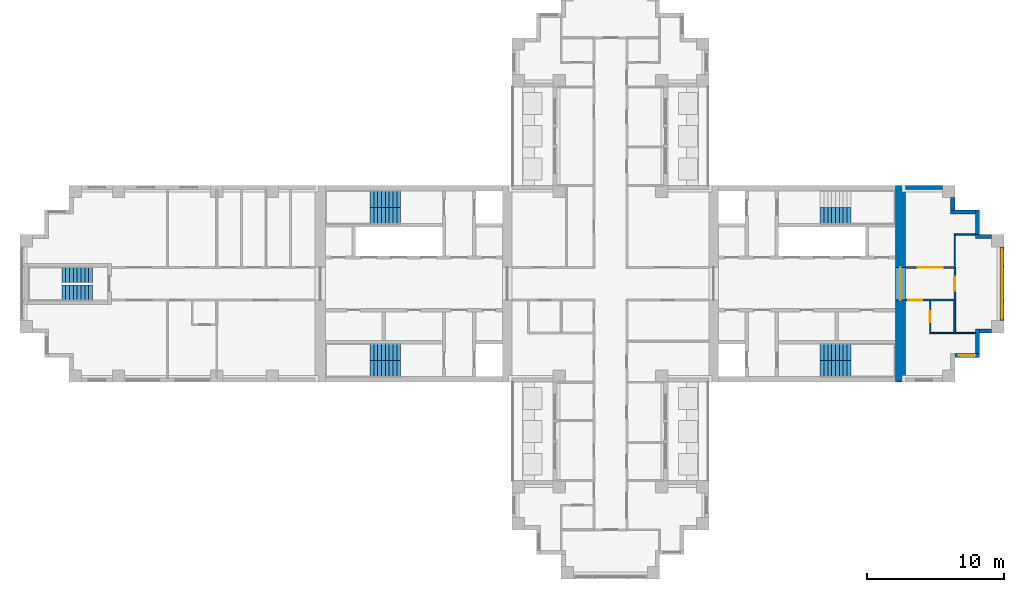
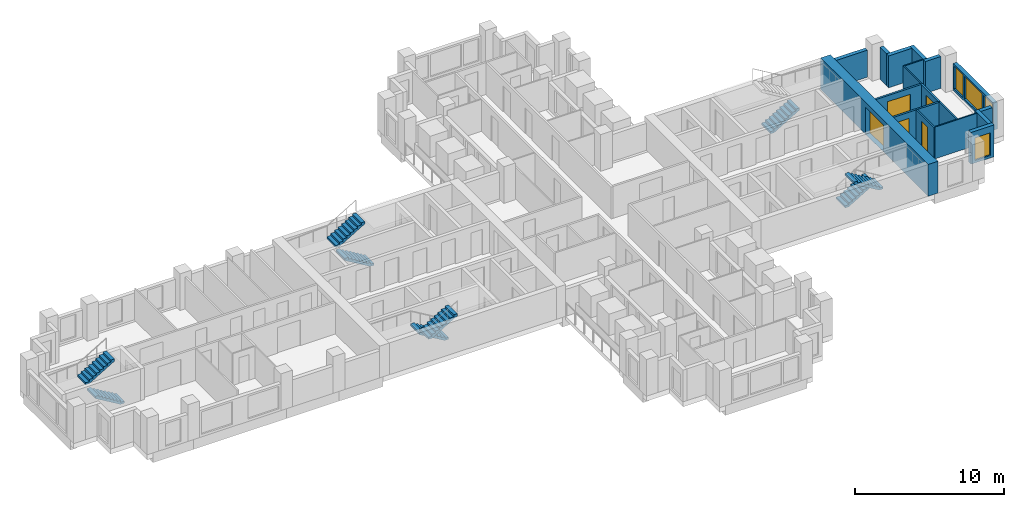
# One storey, part 8 of 11: 18 walls, 9 stair flights, 5 doors, 4 windows, 9 openings, 5 elements without a shape of their own.
"""IFC4 building model written with IfcOpenShell, lengths in metres."""

from ifc_helpers import new_model, si_unit, direction, frame, frame_2d, origin, place, context, subcontext, project, spatial, polyline, rectangle, outline, extrude, material, layer, layer_set, type_object, element, fill, aggregate, save


model = new_model("IFC4")

# Units and contexts
model_context = context("Model", 3, precision=1e-05, world=origin(), true_north=direction((0.0, 1.0)))
body_context = subcontext(model_context, "Body", "Model", "MODEL_VIEW")
ifc_project = project(units=[si_unit("LENGTHUNIT", "METRE"), si_unit("AREAUNIT", "SQUARE_METRE"), si_unit("VOLUMEUNIT", "CUBIC_METRE"), si_unit("PLANEANGLEUNIT", "RADIAN"), si_unit("MASSUNIT", "GRAM", prefix="KILO")], contexts=[model_context])

# Site, building, storey
site_placement = place(None, origin())
site = spatial("IfcSite", under=ifc_project, at=site_placement, CompositionType="ELEMENT")
building_placement = place(site_placement, origin())
building = spatial("IfcBuilding", under=site, at=building_placement, Name="Fustian Cross Tower", CompositionType="ELEMENT")
storey_placement = place(building_placement, frame((0.0, 0.0, 170.699951171875)))
storey = spatial("IfcBuildingStorey", under=building, at=storey_placement, Name="L53", CompositionType="ELEMENT", Elevation=170.699951171875)

# Wall, opening, door
ifc_material_1 = material(Name="Plasterboard on steel stud", Category="steel")
ifc_layer_1 = layer(ifc_material_1, 0.14990234375)
ifc_layer_set_1 = layer_set([ifc_layer_1], Name="Plasterboard on steel stud")
wall_type_1 = type_object("IfcWallType", Name="COMPARTMENT WALL 150 EI 60", PredefinedType="PARTITIONING", material=ifc_layer_set_1)
wall_1_placement = place(storey_placement, frame((21.60009765625, -1.199951171875, 0.0), z_axis=(0.0, 0.0, 1.0), x_axis=(1.0, 0.0, 0.0)))
wall_1 = element("IfcWall", 1, at=wall_1_placement, inside=storey, type_object=wall_type_1, Name="Partition 50", PredefinedType="PARTITIONING", context=body_context, shape_type="SweptSolid", body=[
    extrude(rectangle(XDim=3.52490234375, YDim=0.14990234375, at=frame_2d((1.762451171875, 0.0))), origin(), (0.0, 0.0, 1.0), 2.60009765625),
])
opening_1_placement = place(wall_1_placement, frame((0.199951171875, 0.0, 0.0)))
opening_1 = element("IfcOpeningElement", 2, at=opening_1_placement, cuts=wall_1, Name="Opening D25012", PredefinedType="OPENING", context=body_context, shape_type="SweptSolid", body=[
    extrude(rectangle(XDim=1.0, YDim=2.10009765625, at=frame_2d((0.5, 1.050048828125))), frame((0.0, 0.0849609375, 0.0), z_axis=(0.0, -1.0, 0.0), x_axis=(1.0, 0.0, 0.0)), (0.0, 0.0, 1.0), 0.169921875),
])
ifc_material_2 = material(Name="Timber fire door set", Category="wood")
door_type_1 = type_object("IfcDoorType", Name="FIRE SWING DOOR 1000 FD30S", OperationType="SINGLE_SWING_LEFT", PredefinedType="DOOR", material=ifc_material_2)
door_1_placement = place(opening_1_placement, frame((1.0, 0.0, 0.0), z_axis=(0.0, 0.0, 1.0), x_axis=(-1.0, 0.0, 0.0)))
door_1 = element("IfcDoor", 3, at=door_1_placement, inside=storey, type_object=door_type_1, Name="Door D25012", OperationType="SINGLE_SWING_RIGHT", OverallHeight=2.10009765625, OverallWidth=1.0, PredefinedType="DOOR", context=body_context, shape_type="SweptSolid", body=[
    extrude(rectangle(XDim=1.0, YDim=2.10009765625, at=frame_2d((0.5, 1.050048828125))), frame((0.0, 0.02490234375, 0.0), z_axis=(0.0, -1.0, 0.0), x_axis=(1.0, 0.0, 0.0)), (0.0, 0.0, 1.0), 0.050048828125),
])
fill(opening_1, door_1)

wall_2_placement = place(storey_placement, frame((21.60009765625, 1.199951171875, 0.0), z_axis=(0.0, 0.0, 1.0), x_axis=(1.0, 0.0, 0.0)))
wall_2 = element("IfcWall", 4, at=wall_2_placement, inside=storey, type_object=wall_type_1, Name="Partition 51", PredefinedType="PARTITIONING", context=body_context, shape_type="SweptSolid", body=[
    extrude(rectangle(XDim=3.52490234375, YDim=0.14990234375, at=frame_2d((1.762451171875, 0.0))), origin(), (0.0, 0.0, 1.0), 2.60009765625),
])
opening_2_placement = place(wall_2_placement, frame((0.89990234375, 0.0, 0.0)))
opening_2 = element("IfcOpeningElement", 5, at=opening_2_placement, cuts=wall_2, Name="Opening D25010", PredefinedType="OPENING", context=body_context, shape_type="SweptSolid", body=[
    extrude(rectangle(XDim=1.800048828125, YDim=2.10009765625, at=frame_2d((0.89990234375, 1.050048828125))), frame((0.0, 0.0849609375, 0.0), z_axis=(0.0, -1.0, 0.0), x_axis=(1.0, 0.0, 0.0)), (0.0, 0.0, 1.0), 0.169921875),
])
ifc_material_3 = material(Name="Timber fire door set", Category="wood")
door_type_2 = type_object("IfcDoorType", Name="FIRE DOUBLE DOOR 1800 FD30S", OperationType="DOUBLE_DOOR_DOUBLE_SWING", PredefinedType="DOOR", material=ifc_material_3)
door_2_placement = place(opening_2_placement, frame((1.800048828125, 0.0, 0.0), z_axis=(0.0, 0.0, 1.0), x_axis=(-1.0, 0.0, 0.0)))
door_2 = element("IfcDoor", 6, at=door_2_placement, inside=storey, type_object=door_type_2, Name="Door D25010", OperationType="DOUBLE_DOOR_DOUBLE_SWING", OverallHeight=2.10009765625, OverallWidth=1.800048828125, PredefinedType="DOOR", context=body_context, shape_type="SweptSolid", body=[
    extrude(rectangle(XDim=1.800048828125, YDim=2.10009765625, at=frame_2d((0.89990234375, 1.050048828125))), frame((0.0, 0.02490234375, 0.0), z_axis=(0.0, -1.0, 0.0), x_axis=(1.0, 0.0, 0.0)), (0.0, 0.0, 1.0), 0.050048828125),
])
fill(opening_2, door_2)

wall_3_placement = place(storey_placement, frame((25.199951171875, -1.199951171875, 0.0), z_axis=(0.0, 0.0, 1.0), x_axis=(0.0, 1.0, 0.0)))
wall_3 = element("IfcWall", 7, at=wall_3_placement, inside=storey, type_object=wall_type_1, Name="Partition 55", PredefinedType="PARTITIONING", context=body_context, shape_type="SweptSolid", body=[
    extrude(rectangle(XDim=2.39990234375, YDim=0.14990234375, at=frame_2d((1.199951171875, 0.0))), origin(), (0.0, 0.0, 1.0), 2.60009765625),
])
opening_3_placement = place(wall_3_placement, frame((0.699951171875, 0.0, 0.0)))
opening_3 = element("IfcOpeningElement", 8, at=opening_3_placement, cuts=wall_3, Name="Opening D25009", PredefinedType="OPENING", context=body_context, shape_type="SweptSolid", body=[
    extrude(rectangle(XDim=1.0, YDim=2.10009765625, at=frame_2d((0.5, 1.050048828125))), frame((0.0, 0.0849609375, 0.0), z_axis=(0.0, -1.0, 0.0), x_axis=(1.0, 0.0, 0.0)), (0.0, 0.0, 1.0), 0.169921875),
])
door_3_placement = place(opening_3_placement, frame((1.0, 0.0, 0.0), z_axis=(0.0, 0.0, 1.0), x_axis=(-1.0, 0.0, 0.0)))
door_3 = element("IfcDoor", 9, at=door_3_placement, inside=storey, type_object=door_type_1, Name="Door D25009", OperationType="SINGLE_SWING_RIGHT", OverallHeight=2.10009765625, OverallWidth=1.0, PredefinedType="DOOR", context=body_context, shape_type="SweptSolid", body=[
    extrude(rectangle(XDim=1.0, YDim=2.10009765625, at=frame_2d((0.5, 1.050048828125))), frame((0.0, 0.02490234375, 0.0), z_axis=(0.0, -1.0, 0.0), x_axis=(1.0, 0.0, 0.0)), (0.0, 0.0, 1.0), 0.050048828125),
])
fill(opening_3, door_3)

ifc_material_4 = material(Name="Concrete C50/60", Category="concrete")
ifc_layer_2 = layer(ifc_material_4, 0.75)
ifc_layer_set_2 = layer_set([ifc_layer_2], Name="Concrete C50/60")
wall_type_2 = type_object("IfcWallType", Name="CORE END WALL 750 C50/60", PredefinedType="SHEAR", material=ifc_layer_set_2)
wall_4_placement = place(storey_placement, frame((21.22509765625, -7.199951171875, 0.0), z_axis=(0.0, 0.0, 1.0), x_axis=(0.0, 1.0, 0.0)))
wall_4 = element("IfcWall", 10, at=wall_4_placement, inside=storey, type_object=wall_type_2, Name="Core end wall", PredefinedType="SHEAR", context=body_context, shape_type="SweptSolid", body=[
    extrude(rectangle(XDim=14.39990234375, YDim=0.75, at=frame_2d((7.199951171875, 0.0))), origin(), (0.0, 0.0, 1.0), 2.60009765625),
])
opening_4_placement = place(wall_4_placement, frame((6.0, 0.0, 0.0)))
opening_4 = element("IfcOpeningElement", 11, at=opening_4_placement, cuts=wall_4, Name="Opening CD-22-13", PredefinedType="OPENING", context=body_context, shape_type="SweptSolid", body=[
    extrude(rectangle(XDim=2.39990234375, YDim=2.199951171875, at=frame_2d((1.199951171875, 1.10009765625))), frame((0.0, 0.385009765625, 0.0), z_axis=(0.0, -1.0, 0.0), x_axis=(1.0, 0.0, 0.0)), (0.0, 0.0, 1.0), 0.77001953125),
])
ifc_material_5 = material(Name="Steel", Category="steel")
door_type_3 = type_object("IfcDoorType", Name="FIRE DOOR FD30S DOUBLE 2400X2200", OperationType="DOUBLE_DOOR_DOUBLE_SWING", PredefinedType="DOOR", material=ifc_material_5)
door_4_placement = place(opening_4_placement, origin())
door_4 = element("IfcDoor", 12, at=door_4_placement, inside=storey, type_object=door_type_3, Name="Core door CD-22-13", OperationType="DOUBLE_DOOR_DOUBLE_SWING", OverallHeight=2.199951171875, OverallWidth=2.39990234375, PredefinedType="DOOR", context=body_context, shape_type="SweptSolid", body=[
    extrude(rectangle(XDim=2.39990234375, YDim=2.199951171875, at=frame_2d((1.199951171875, 1.10009765625))), frame((0.0, 0.02490234375, 0.0), z_axis=(0.0, -1.0, 0.0), x_axis=(1.0, 0.0, 0.0)), (0.0, 0.0, 1.0), 0.050048828125),
])
fill(opening_4, door_4)

ifc_material_6 = material(Name="Plasterboard on steel stud", Category="steel")
ifc_layer_3 = layer(ifc_material_6, 0.10009765625)
ifc_layer_set_3 = layer_set([ifc_layer_3], Name="Plasterboard on steel stud")
wall_type_3 = type_object("IfcWallType", Name="PARTITION 100 STUD", PredefinedType="PARTITIONING", material=ifc_layer_set_3)
wall_5_placement = place(storey_placement, frame((23.39990234375, -3.64990234375, 0.0), z_axis=(0.0, 0.0, 1.0), x_axis=(0.0, 1.0, 0.0)))
wall_5 = element("IfcWall", 13, at=wall_5_placement, inside=storey, type_object=wall_type_3, Name="Partition 52", PredefinedType="PARTITIONING", context=body_context, shape_type="SweptSolid", body=[
    extrude(rectangle(XDim=2.375, YDim=0.10009765625, at=frame_2d((1.1875, 0.0))), origin(), (0.0, 0.0, 1.0), 2.60009765625),
])
opening_5_placement = place(wall_5_placement, frame((0.85009765625, 0.0, 0.0)))
opening_5 = element("IfcOpeningElement", 14, at=opening_5_placement, cuts=wall_5, Name="Opening D25011", PredefinedType="OPENING", context=body_context, shape_type="SweptSolid", body=[
    extrude(rectangle(XDim=0.800048828125, YDim=2.10009765625, at=frame_2d((0.39990234375, 1.050048828125))), frame((0.0, 0.06005859375, 0.0), z_axis=(0.0, -1.0, 0.0), x_axis=(1.0, 0.0, 0.0)), (0.0, 0.0, 1.0), 0.1201171875),
])
ifc_material_7 = material(Name="Painted timber", Category="wood")
door_type_4 = type_object("IfcDoorType", Name="SWING DOOR 800", OperationType="SINGLE_SWING_LEFT", PredefinedType="DOOR", material=ifc_material_7)
door_5_placement = place(opening_5_placement, frame((0.800048828125, 0.0, 0.0), z_axis=(0.0, 0.0, 1.0), x_axis=(-1.0, 0.0, 0.0)))
door_5 = element("IfcDoor", 15, at=door_5_placement, inside=storey, type_object=door_type_4, Name="Door D25011", OperationType="SINGLE_SWING_RIGHT", OverallHeight=2.10009765625, OverallWidth=0.800048828125, PredefinedType="DOOR", context=body_context, shape_type="SweptSolid", body=[
    extrude(rectangle(XDim=0.800048828125, YDim=2.10009765625, at=frame_2d((0.39990234375, 1.050048828125))), frame((0.0, 0.02490234375, 0.0), z_axis=(0.0, -1.0, 0.0), x_axis=(1.0, 0.0, 0.0)), (0.0, 0.0, 1.0), 0.050048828125),
])
fill(opening_5, door_5)

# Walls
wall_6_placement = place(storey_placement, frame((23.449951171875, -3.60009765625, 0.0), z_axis=(0.0, 0.0, 1.0), x_axis=(1.0, 0.0, 0.0)))
element("IfcWall", 16, at=wall_6_placement, inside=storey, type_object=wall_type_3, Name="Partition 53", PredefinedType="PARTITIONING", context=body_context, shape_type="SweptSolid", body=[
    extrude(rectangle(XDim=3.25, YDim=0.10009765625, at=frame_2d((1.625, 0.0))), origin(), (0.0, 0.0, 1.0), 2.60009765625),
])
wall_7_placement = place(storey_placement, frame((25.199951171875, 1.199951171875, 0.0), z_axis=(0.0, 0.0, 1.0), x_axis=(0.0, 1.0, 0.0)))
element("IfcWall", 17, at=wall_7_placement, inside=storey, type_object=wall_type_3, Name="Partition 56", PredefinedType="PARTITIONING", context=body_context, shape_type="SweptSolid", body=[
    extrude(rectangle(XDim=2.449951171875, YDim=0.10009765625, at=frame_2d((1.22509765625, 0.0))), origin(), (0.0, 0.0, 1.0), 2.60009765625),
])
wall_8_placement = place(storey_placement, frame((25.25, 3.60009765625, 0.0), z_axis=(0.0, 0.0, 1.0), x_axis=(1.0, 0.0, 0.0)))
element("IfcWall", 18, at=wall_8_placement, inside=storey, type_object=wall_type_3, Name="Partition 57", PredefinedType="PARTITIONING", context=body_context, shape_type="SweptSolid", body=[
    extrude(rectangle(XDim=1.449951171875, YDim=0.10009765625, at=frame_2d((0.72509765625, 0.0))), origin(), (0.0, 0.0, 1.0), 2.60009765625),
])
ifc_material_8 = material(Name="Plasterboard on steel stud", Category="steel")
ifc_layer_4 = layer(ifc_material_8, 0.125)
ifc_layer_set_4 = layer_set([ifc_layer_4], Name="Plasterboard on steel stud")
wall_type_4 = type_object("IfcWallType", Name="WET WALL 125 STUD", PredefinedType="PARTITIONING", material=ifc_layer_set_4)
wall_9_placement = place(storey_placement, frame((25.199951171875, -3.550048828125, 0.0), z_axis=(0.0, 0.0, 1.0), x_axis=(0.0, 1.0, 0.0)))
element("IfcWall", 19, at=wall_9_placement, inside=storey, type_object=wall_type_4, Name="Partition 54", PredefinedType="PARTITIONING", context=body_context, shape_type="SweptSolid", body=[
    extrude(rectangle(XDim=2.35009765625, YDim=0.125, at=frame_2d((1.175048828125, 0.0))), origin(), (0.0, 0.0, 1.0), 2.60009765625),
])

# Wall, opening, window
ifc_material_9 = material(Name="Dark aluminium cladding on insulated backing wall", Category="aluminium")
ifc_layer_5 = layer(ifc_material_9, 0.300048828125)
ifc_layer_set_5 = layer_set([ifc_layer_5], Name="Dark aluminium cladding on insulated backing wall")
wall_type_5 = type_object("IfcWallType", Name="XW1 EXTERNAL WALL 300", PredefinedType="SOLIDWALL", material=ifc_layer_set_5)
wall_10_placement = place(storey_placement, frame((25.199951171875, -5.25, 0.0), z_axis=(0.0, 0.0, 1.0), x_axis=(1.0, 0.0, 0.0)))
wall_10 = element("IfcWall", 20, at=wall_10_placement, inside=storey, type_object=wall_type_5, Name="External wall", PredefinedType="SOLIDWALL", context=body_context, shape_type="SweptSolid", body=[
    extrude(rectangle(XDim=1.800048828125, YDim=0.300048828125, at=frame_2d((0.89990234375, 0.0))), origin(), (0.0, 0.0, 1.0), 2.60009765625),
])
opening_6_placement = place(wall_10_placement, frame((0.300048828125, 0.0, 0.199951171875)))
opening_6 = element("IfcOpeningElement", 21, at=opening_6_placement, cuts=wall_10, Name="Opening WN3", PredefinedType="OPENING", context=body_context, shape_type="SweptSolid", body=[
    extrude(rectangle(XDim=1.199951171875, YDim=1.85009765625, at=frame_2d((0.60009765625, 0.925048828125))), frame((0.0, 0.159912109375, 0.0), z_axis=(0.0, -1.0, 0.0), x_axis=(1.0, 0.0, 0.0)), (0.0, 0.0, 1.0), 0.320068359375),
])
ifc_material_10 = material(Name="Dark anodised aluminium and double glazing", Category="aluminium")
window_type_1 = type_object("IfcWindowType", Name="WN3 WINDOW 1200X1850", PartitioningType="SINGLE_PANEL", PredefinedType="WINDOW", material=ifc_material_10)
window_1_placement = place(opening_6_placement, origin())
window_1 = element("IfcWindow", 22, at=window_1_placement, inside=storey, type_object=window_type_1, Name="Window", OverallHeight=1.85009765625, OverallWidth=1.199951171875, PartitioningType="SINGLE_PANEL", PredefinedType="WINDOW", context=body_context, shape_type="SweptSolid", body=[
    extrude(rectangle(XDim=1.199951171875, YDim=1.85009765625, at=frame_2d((0.60009765625, 0.925048828125))), frame((0.0, 0.030029296875, 0.0), z_axis=(0.0, -1.0, 0.0), x_axis=(1.0, 0.0, 0.0)), (0.0, 0.0, 1.0), 0.06005859375),
])
fill(opening_6, window_1)

# Walls
wall_11_placement = place(storey_placement, frame((26.85009765625, -5.10009765625, 0.0), z_axis=(0.0, 0.0, 1.0), x_axis=(0.0, 1.0, 0.0)))
element("IfcWall", 23, at=wall_11_placement, inside=storey, type_object=wall_type_5, Name="External wall", PredefinedType="SOLIDWALL", context=body_context, shape_type="SweptSolid", body=[
    extrude(rectangle(XDim=1.800048828125, YDim=0.300048828125, at=frame_2d((0.89990234375, 0.0))), origin(), (0.0, 0.0, 1.0), 2.60009765625),
])
wall_12_placement = place(storey_placement, frame((27.0, -3.449951171875, 0.0), z_axis=(0.0, 0.0, 1.0), x_axis=(1.0, 0.0, 0.0)))
element("IfcWall", 24, at=wall_12_placement, inside=storey, type_object=wall_type_5, Name="External wall", PredefinedType="SOLIDWALL", context=body_context, shape_type="SweptSolid", body=[
    extrude(rectangle(XDim=0.89990234375, YDim=0.300048828125, at=frame_2d((0.449951171875, 0.0))), origin(), (0.0, 0.0, 1.0), 2.60009765625),
])

# Wall, openings, windows
wall_13_placement = place(storey_placement, frame((28.64990234375, -2.699951171875, 0.0), z_axis=(0.0, 0.0, 1.0), x_axis=(0.0, 1.0, 0.0)))
wall_13 = element("IfcWall", 25, at=wall_13_placement, inside=storey, type_object=wall_type_5, Name="External wall", PredefinedType="SOLIDWALL", context=body_context, shape_type="SweptSolid", body=[
    extrude(rectangle(XDim=5.39990234375, YDim=0.300048828125, at=frame_2d((2.699951171875, 0.0))), origin(), (0.0, 0.0, 1.0), 2.199951171875),
])
opening_7_placement = place(wall_13_placement, frame((1.5, 0.0, 0.199951171875)))
opening_7 = element("IfcOpeningElement", 26, at=opening_7_placement, cuts=wall_13, Name="Opening WN1", PredefinedType="OPENING", context=body_context, shape_type="SweptSolid", body=[
    extrude(rectangle(XDim=2.39990234375, YDim=1.85009765625, at=frame_2d((1.199951171875, 0.925048828125))), frame((0.0, 0.159912109375, 0.0), z_axis=(0.0, -1.0, 0.0), x_axis=(1.0, 0.0, 0.0)), (0.0, 0.0, 1.0), 0.320068359375),
])
opening_8_placement = place(wall_13_placement, frame((0.14990234375, 0.0, 0.199951171875)))
opening_8 = element("IfcOpeningElement", 27, at=opening_8_placement, cuts=wall_13, Name="Opening WN3", PredefinedType="OPENING", context=body_context, shape_type="SweptSolid", body=[
    extrude(rectangle(XDim=1.199951171875, YDim=1.85009765625, at=frame_2d((0.60009765625, 0.925048828125))), frame((0.0, 0.159912109375, 0.0), z_axis=(0.0, -1.0, 0.0), x_axis=(1.0, 0.0, 0.0)), (0.0, 0.0, 1.0), 0.320068359375),
])
opening_9_placement = place(wall_13_placement, frame((4.050048828125, 0.0, 0.199951171875)))
opening_9 = element("IfcOpeningElement", 28, at=opening_9_placement, cuts=wall_13, Name="Opening WN3", PredefinedType="OPENING", context=body_context, shape_type="SweptSolid", body=[
    extrude(rectangle(XDim=1.199951171875, YDim=1.85009765625, at=frame_2d((0.60009765625, 0.925048828125))), frame((0.0, 0.159912109375, 0.0), z_axis=(0.0, -1.0, 0.0), x_axis=(1.0, 0.0, 0.0)), (0.0, 0.0, 1.0), 0.320068359375),
])
ifc_material_11 = material(Name="Dark anodised aluminium and double glazing", Category="aluminium")
window_type_2 = type_object("IfcWindowType", Name="WN1 WINDOW 2400X1850", PartitioningType="SINGLE_PANEL", PredefinedType="WINDOW", material=ifc_material_11)
window_2_placement = place(opening_7_placement, origin())
window_2 = element("IfcWindow", 29, at=window_2_placement, inside=storey, type_object=window_type_2, Name="Window", OverallHeight=1.85009765625, OverallWidth=2.39990234375, PartitioningType="SINGLE_PANEL", PredefinedType="WINDOW", context=body_context, shape_type="SweptSolid", body=[
    extrude(rectangle(XDim=2.39990234375, YDim=1.85009765625, at=frame_2d((1.199951171875, 0.925048828125))), frame((0.0, 0.030029296875, 0.0), z_axis=(0.0, -1.0, 0.0), x_axis=(1.0, 0.0, 0.0)), (0.0, 0.0, 1.0), 0.06005859375),
])
fill(opening_7, window_2)
window_3_placement = place(opening_8_placement, origin())
window_3 = element("IfcWindow", 30, at=window_3_placement, inside=storey, type_object=window_type_1, Name="Window", OverallHeight=1.85009765625, OverallWidth=1.199951171875, PartitioningType="SINGLE_PANEL", PredefinedType="WINDOW", context=body_context, shape_type="SweptSolid", body=[
    extrude(rectangle(XDim=1.199951171875, YDim=1.85009765625, at=frame_2d((0.60009765625, 0.925048828125))), frame((0.0, 0.030029296875, 0.0), z_axis=(0.0, -1.0, 0.0), x_axis=(1.0, 0.0, 0.0)), (0.0, 0.0, 1.0), 0.06005859375),
])
fill(opening_8, window_3)
window_4_placement = place(opening_9_placement, origin())
window_4 = element("IfcWindow", 31, at=window_4_placement, inside=storey, type_object=window_type_1, Name="Window", OverallHeight=1.85009765625, OverallWidth=1.199951171875, PartitioningType="SINGLE_PANEL", PredefinedType="WINDOW", context=body_context, shape_type="SweptSolid", body=[
    extrude(rectangle(XDim=1.199951171875, YDim=1.85009765625, at=frame_2d((0.60009765625, 0.925048828125))), frame((0.0, 0.030029296875, 0.0), z_axis=(0.0, -1.0, 0.0), x_axis=(1.0, 0.0, 0.0)), (0.0, 0.0, 1.0), 0.06005859375),
])
fill(opening_9, window_4)

# Walls
wall_14_placement = place(storey_placement, frame((27.89990234375, 3.449951171875, 0.0), z_axis=(0.0, 0.0, 1.0), x_axis=(-1.0, 0.0, 0.0)))
element("IfcWall", 32, at=wall_14_placement, inside=storey, type_object=wall_type_5, Name="External wall", PredefinedType="SOLIDWALL", context=body_context, shape_type="SweptSolid", body=[
    extrude(rectangle(XDim=1.199951171875, YDim=0.300048828125, at=frame_2d((0.60009765625, 0.0))), origin(), (0.0, 0.0, 1.0), 2.60009765625),
])
wall_15_placement = place(storey_placement, frame((26.85009765625, 3.60009765625, 0.0), z_axis=(0.0, 0.0, 1.0), x_axis=(0.0, 1.0, 0.0)))
element("IfcWall", 33, at=wall_15_placement, inside=storey, type_object=wall_type_5, Name="External wall", PredefinedType="SOLIDWALL", context=body_context, shape_type="SweptSolid", body=[
    extrude(rectangle(XDim=1.7998046875, YDim=0.300048828125, at=frame_2d((0.89990234375, 0.0))), origin(), (0.0, 0.0, 1.0), 2.60009765625),
])
wall_16_placement = place(storey_placement, frame((26.699951171875, 5.25, 0.0), z_axis=(0.0, 0.0, 1.0), x_axis=(-1.0, 0.0, 0.0)))
element("IfcWall", 34, at=wall_16_placement, inside=storey, type_object=wall_type_5, Name="External wall", PredefinedType="SOLIDWALL", context=body_context, shape_type="SweptSolid", body=[
    extrude(rectangle(XDim=1.800048828125, YDim=0.300048828125, at=frame_2d((0.89990234375, 0.0))), origin(), (0.0, 0.0, 1.0), 2.60009765625),
])
wall_17_placement = place(storey_placement, frame((25.050048828125, 5.39990234375, 0.0), z_axis=(0.0, 0.0, 1.0), x_axis=(0.0, 1.0, 0.0)))
element("IfcWall", 35, at=wall_17_placement, inside=storey, type_object=wall_type_5, Name="External wall", PredefinedType="SOLIDWALL", context=body_context, shape_type="SweptSolid", body=[
    extrude(rectangle(XDim=0.900146484375, YDim=0.300048828125, at=frame_2d((0.4501953125, 0.0))), origin(), (0.0, 0.0, 1.0), 2.60009765625),
])
wall_18_placement = place(storey_placement, frame((24.300048828125, 7.050048828125, 0.0), z_axis=(0.0, 0.0, 1.0), x_axis=(-1.0, 0.0, 0.0)))
element("IfcWall", 36, at=wall_18_placement, inside=storey, type_object=wall_type_5, Name="External wall", PredefinedType="SOLIDWALL", context=body_context, shape_type="SweptSolid", body=[
    extrude(rectangle(XDim=2.699951171875, YDim=0.300048828125, at=frame_2d((1.35009765625, 0.0))), origin(), (0.0, 0.0, 1.0), 2.199951171875),
])

# Stair, stair flights
ifc_material_12 = material(Name="Concrete C50/60", Category="concrete")
stair_type_1 = type_object("IfcStairType", Name="STAIR 1100 HALF TURN", PredefinedType="HALF_TURN_STAIR", material=ifc_material_12)
stair_1_placement = place(storey_placement, origin())
stair_1 = element("IfcStair", 37, at=stair_1_placement, inside=storey, type_object=stair_type_1, Name="Stair ST9", PredefinedType="HALF_TURN_STAIR")
ifc_material_13 = material(Name="Concrete C50/60", Category="concrete")
stair_flight_type_1 = type_object("IfcStairFlightType", Name="STAIR FLIGHT 1100", PredefinedType="STRAIGHT", material=ifc_material_13)
stair_flight_1_placement = place(storey_placement, frame((-37.89990234375, -0.64990234375, 0.0), z_axis=(0.0, 0.0, 1.0), x_axis=(-1.0, 0.0, 0.0)))
stair_flight_1 = element("IfcStairFlight", 38, at=stair_flight_1_placement, type_object=stair_flight_type_1, Name="ST9 flight 1", NumberOfRisers=9, NumberOfTreads=8, PredefinedType="STRAIGHT", RiserHeight=0.166666667, TreadLength=0.28, context=body_context, shape_type="SweptSolid", body=[
    extrude(outline(polyline([(0.0, 0.0), (0.0, 0.166748046875), (0.280029296875, 0.166748046875), (0.280029296875, 0.333251953125), (0.56005859375, 0.333251953125), (0.56005859375, 0.5), (0.840087890625, 0.5), (0.840087890625, 0.666748046875), (1.1201171875, 0.666748046875), (1.1201171875, 0.833251953125), (1.39990234375, 0.833251953125), (1.39990234375, 1.0), (1.679931640625, 1.0), (1.679931640625, 1.166748046875), (1.9599609375, 1.166748046875), (1.9599609375, 1.333251953125), (2.239990234375, 1.333251953125), (2.239990234375, 1.5), (2.239990234375, 1.158935546875), (0.29296875, 0.0), (0.0, 0.0)])), frame((0.0, 0.550048828125, 0.0), z_axis=(0.0, -1.0, 0.0), x_axis=(1.0, 0.0, 0.0)), (0.0, 0.0, 1.0), 1.10009765625),
])
stair_flight_2_placement = place(storey_placement, frame((-40.139892578125, 0.64990234375, 1.5), z_axis=(0.0, 0.0, 1.0), x_axis=(1.0, 0.0, 0.0)))
stair_flight_2 = element("IfcStairFlight", 39, at=stair_flight_2_placement, type_object=stair_flight_type_1, Name="ST9 flight 2", NumberOfRisers=9, NumberOfTreads=8, PredefinedType="STRAIGHT", RiserHeight=0.166666667, TreadLength=0.28, context=body_context, shape_type="SweptSolid", body=[
    extrude(outline(polyline([(0.0, 0.0), (0.0, 0.166748046875), (0.280029296875, 0.166748046875), (0.280029296875, 0.333251953125), (0.56005859375, 0.333251953125), (0.56005859375, 0.5), (0.840087890625, 0.5), (0.840087890625, 0.666748046875), (1.1201171875, 0.666748046875), (1.1201171875, 0.833251953125), (1.39990234375, 0.833251953125), (1.39990234375, 1.0), (1.679931640625, 1.0), (1.679931640625, 1.166748046875), (1.9599609375, 1.166748046875), (1.9599609375, 1.333251953125), (2.239990234375, 1.333251953125), (2.239990234375, 1.5), (2.239990234375, 1.158935546875), (0.29296875, 0.0), (0.0, 0.0)])), frame((0.0, 0.550048828125, 0.0), z_axis=(0.0, -1.0, 0.0), x_axis=(1.0, 0.0, 0.0)), (0.0, 0.0, 1.0), 1.10009765625),
])
aggregate(stair_1, [stair_flight_1, stair_flight_2])

# Stair, stair flight
ifc_material_14 = material(Name="Concrete C50/60", Category="concrete")
stair_type_2 = type_object("IfcStairType", Name="STAIR 1200 HALF TURN", PredefinedType="HALF_TURN_STAIR", material=ifc_material_14)
stair_2_placement = place(storey_placement, origin())
stair_2 = element("IfcStair", 40, at=stair_2_placement, inside=storey, type_object=stair_type_2, Name="Stair ST1", PredefinedType="HALF_TURN_STAIR")
ifc_material_15 = material(Name="Concrete C50/60", Category="concrete")
stair_flight_type_2 = type_object("IfcStairFlightType", Name="STAIR FLIGHT 1200", PredefinedType="STRAIGHT", material=ifc_material_15)
stair_flight_3_placement = place(storey_placement, frame((15.35009765625, 5.0, 0.0), z_axis=(0.0, 0.0, 1.0), x_axis=(1.0, 0.0, 0.0)))
stair_flight_3 = element("IfcStairFlight", 41, at=stair_flight_3_placement, type_object=stair_flight_type_2, Name="ST1 flight 1", NumberOfRisers=9, NumberOfTreads=8, PredefinedType="STRAIGHT", RiserHeight=0.166666667, TreadLength=0.28, context=body_context, shape_type="SweptSolid", body=[
    extrude(outline(polyline([(0.0, 0.0), (0.0, 0.166748046875), (0.280029296875, 0.166748046875), (0.280029296875, 0.333251953125), (0.56005859375, 0.333251953125), (0.56005859375, 0.5), (0.840087890625, 0.5), (0.840087890625, 0.666748046875), (1.1201171875, 0.666748046875), (1.1201171875, 0.833251953125), (1.39990234375, 0.833251953125), (1.39990234375, 1.0), (1.679931640625, 1.0), (1.679931640625, 1.166748046875), (1.9599609375, 1.166748046875), (1.9599609375, 1.333251953125), (2.239990234375, 1.333251953125), (2.239990234375, 1.5), (2.239990234375, 1.158935546875), (0.29296875, 0.0), (0.0, 0.0)])), frame((0.0, 0.60009765625, 0.0), z_axis=(0.0, -1.0, 0.0), x_axis=(1.0, 0.0, 0.0)), (0.0, 0.0, 1.0), 1.199951171875),
])
aggregate(stair_2, [stair_flight_3])

# Stair, stair flights
stair_3_placement = place(storey_placement, origin())
stair_3 = element("IfcStair", 42, at=stair_3_placement, inside=storey, type_object=stair_type_2, Name="Stair ST2", PredefinedType="HALF_TURN_STAIR")
stair_flight_4_placement = place(storey_placement, frame((15.35009765625, -5.0, 0.0), z_axis=(0.0, 0.0, 1.0), x_axis=(1.0, 0.0, 0.0)))
stair_flight_4 = element("IfcStairFlight", 43, at=stair_flight_4_placement, type_object=stair_flight_type_2, Name="ST2 flight 1", NumberOfRisers=9, NumberOfTreads=8, PredefinedType="STRAIGHT", RiserHeight=0.166666667, TreadLength=0.28, context=body_context, shape_type="SweptSolid", body=[
    extrude(outline(polyline([(0.0, 0.0), (0.0, 0.166748046875), (0.280029296875, 0.166748046875), (0.280029296875, 0.333251953125), (0.56005859375, 0.333251953125), (0.56005859375, 0.5), (0.840087890625, 0.5), (0.840087890625, 0.666748046875), (1.1201171875, 0.666748046875), (1.1201171875, 0.833251953125), (1.39990234375, 0.833251953125), (1.39990234375, 1.0), (1.679931640625, 1.0), (1.679931640625, 1.166748046875), (1.9599609375, 1.166748046875), (1.9599609375, 1.333251953125), (2.239990234375, 1.333251953125), (2.239990234375, 1.5), (2.239990234375, 1.158935546875), (0.29296875, 0.0), (0.0, 0.0)])), frame((0.0, 0.60009765625, 0.0), z_axis=(0.0, -1.0, 0.0), x_axis=(1.0, 0.0, 0.0)), (0.0, 0.0, 1.0), 1.199951171875),
])
stair_flight_5_placement = place(storey_placement, frame((17.590087890625, -6.199951171875, 1.5), z_axis=(0.0, 0.0, 1.0), x_axis=(-1.0, 0.0, 0.0)))
stair_flight_5 = element("IfcStairFlight", 44, at=stair_flight_5_placement, type_object=stair_flight_type_2, Name="ST2 flight 2", NumberOfRisers=9, NumberOfTreads=8, PredefinedType="STRAIGHT", RiserHeight=0.166666667, TreadLength=0.28, context=body_context, shape_type="SweptSolid", body=[
    extrude(outline(polyline([(0.0, 0.0), (0.0, 0.166748046875), (0.280029296875, 0.166748046875), (0.280029296875, 0.333251953125), (0.56005859375, 0.333251953125), (0.56005859375, 0.5), (0.840087890625, 0.5), (0.840087890625, 0.666748046875), (1.1201171875, 0.666748046875), (1.1201171875, 0.833251953125), (1.39990234375, 0.833251953125), (1.39990234375, 1.0), (1.679931640625, 1.0), (1.679931640625, 1.166748046875), (1.9599609375, 1.166748046875), (1.9599609375, 1.333251953125), (2.239990234375, 1.333251953125), (2.239990234375, 1.5), (2.239990234375, 1.158935546875), (0.29296875, 0.0), (0.0, 0.0)])), frame((0.0, 0.60009765625, 0.0), z_axis=(0.0, -1.0, 0.0), x_axis=(1.0, 0.0, 0.0)), (0.0, 0.0, 1.0), 1.199951171875),
])
aggregate(stair_3, [stair_flight_4, stair_flight_5])

stair_4_placement = place(storey_placement, origin())
stair_4 = element("IfcStair", 45, at=stair_4_placement, inside=storey, type_object=stair_type_2, Name="Stair ST3", PredefinedType="HALF_TURN_STAIR")
stair_flight_6_placement = place(storey_placement, frame((-15.35009765625, 5.0, 0.0), z_axis=(0.0, 0.0, 1.0), x_axis=(-1.0, 0.0, 0.0)))
stair_flight_6 = element("IfcStairFlight", 46, at=stair_flight_6_placement, type_object=stair_flight_type_2, Name="ST3 flight 1", NumberOfRisers=9, NumberOfTreads=8, PredefinedType="STRAIGHT", RiserHeight=0.166666667, TreadLength=0.28, context=body_context, shape_type="SweptSolid", body=[
    extrude(outline(polyline([(0.0, 0.0), (0.0, 0.166748046875), (0.280029296875, 0.166748046875), (0.280029296875, 0.333251953125), (0.56005859375, 0.333251953125), (0.56005859375, 0.5), (0.840087890625, 0.5), (0.840087890625, 0.666748046875), (1.1201171875, 0.666748046875), (1.1201171875, 0.833251953125), (1.39990234375, 0.833251953125), (1.39990234375, 1.0), (1.679931640625, 1.0), (1.679931640625, 1.166748046875), (1.9599609375, 1.166748046875), (1.9599609375, 1.333251953125), (2.239990234375, 1.333251953125), (2.239990234375, 1.5), (2.239990234375, 1.158935546875), (0.29296875, 0.0), (0.0, 0.0)])), frame((0.0, 0.60009765625, 0.0), z_axis=(0.0, -1.0, 0.0), x_axis=(1.0, 0.0, 0.0)), (0.0, 0.0, 1.0), 1.199951171875),
])
stair_flight_7_placement = place(storey_placement, frame((-17.590087890625, 6.199951171875, 1.5), z_axis=(0.0, 0.0, 1.0), x_axis=(1.0, 0.0, 0.0)))
stair_flight_7 = element("IfcStairFlight", 47, at=stair_flight_7_placement, type_object=stair_flight_type_2, Name="ST3 flight 2", NumberOfRisers=9, NumberOfTreads=8, PredefinedType="STRAIGHT", RiserHeight=0.166666667, TreadLength=0.28, context=body_context, shape_type="SweptSolid", body=[
    extrude(outline(polyline([(0.0, 0.0), (0.0, 0.166748046875), (0.280029296875, 0.166748046875), (0.280029296875, 0.333251953125), (0.56005859375, 0.333251953125), (0.56005859375, 0.5), (0.840087890625, 0.5), (0.840087890625, 0.666748046875), (1.1201171875, 0.666748046875), (1.1201171875, 0.833251953125), (1.39990234375, 0.833251953125), (1.39990234375, 1.0), (1.679931640625, 1.0), (1.679931640625, 1.166748046875), (1.9599609375, 1.166748046875), (1.9599609375, 1.333251953125), (2.239990234375, 1.333251953125), (2.239990234375, 1.5), (2.239990234375, 1.158935546875), (0.29296875, 0.0), (0.0, 0.0)])), frame((0.0, 0.60009765625, 0.0), z_axis=(0.0, -1.0, 0.0), x_axis=(1.0, 0.0, 0.0)), (0.0, 0.0, 1.0), 1.199951171875),
])
aggregate(stair_4, [stair_flight_6, stair_flight_7])

stair_5_placement = place(storey_placement, origin())
stair_5 = element("IfcStair", 48, at=stair_5_placement, inside=storey, type_object=stair_type_2, Name="Stair ST4", PredefinedType="HALF_TURN_STAIR")
stair_flight_8_placement = place(storey_placement, frame((-15.35009765625, -5.0, 0.0), z_axis=(0.0, 0.0, 1.0), x_axis=(-1.0, 0.0, 0.0)))
stair_flight_8 = element("IfcStairFlight", 49, at=stair_flight_8_placement, type_object=stair_flight_type_2, Name="ST4 flight 1", NumberOfRisers=9, NumberOfTreads=8, PredefinedType="STRAIGHT", RiserHeight=0.166666667, TreadLength=0.28, context=body_context, shape_type="SweptSolid", body=[
    extrude(outline(polyline([(0.0, 0.0), (0.0, 0.166748046875), (0.280029296875, 0.166748046875), (0.280029296875, 0.333251953125), (0.56005859375, 0.333251953125), (0.56005859375, 0.5), (0.840087890625, 0.5), (0.840087890625, 0.666748046875), (1.1201171875, 0.666748046875), (1.1201171875, 0.833251953125), (1.39990234375, 0.833251953125), (1.39990234375, 1.0), (1.679931640625, 1.0), (1.679931640625, 1.166748046875), (1.9599609375, 1.166748046875), (1.9599609375, 1.333251953125), (2.239990234375, 1.333251953125), (2.239990234375, 1.5), (2.239990234375, 1.158935546875), (0.29296875, 0.0), (0.0, 0.0)])), frame((0.0, 0.60009765625, 0.0), z_axis=(0.0, -1.0, 0.0), x_axis=(1.0, 0.0, 0.0)), (0.0, 0.0, 1.0), 1.199951171875),
])
stair_flight_9_placement = place(storey_placement, frame((-17.590087890625, -6.199951171875, 1.5), z_axis=(0.0, 0.0, 1.0), x_axis=(1.0, 0.0, 0.0)))
stair_flight_9 = element("IfcStairFlight", 50, at=stair_flight_9_placement, type_object=stair_flight_type_2, Name="ST4 flight 2", NumberOfRisers=9, NumberOfTreads=8, PredefinedType="STRAIGHT", RiserHeight=0.166666667, TreadLength=0.28, context=body_context, shape_type="SweptSolid", body=[
    extrude(outline(polyline([(0.0, 0.0), (0.0, 0.166748046875), (0.280029296875, 0.166748046875), (0.280029296875, 0.333251953125), (0.56005859375, 0.333251953125), (0.56005859375, 0.5), (0.840087890625, 0.5), (0.840087890625, 0.666748046875), (1.1201171875, 0.666748046875), (1.1201171875, 0.833251953125), (1.39990234375, 0.833251953125), (1.39990234375, 1.0), (1.679931640625, 1.0), (1.679931640625, 1.166748046875), (1.9599609375, 1.166748046875), (1.9599609375, 1.333251953125), (2.239990234375, 1.333251953125), (2.239990234375, 1.5), (2.239990234375, 1.158935546875), (0.29296875, 0.0), (0.0, 0.0)])), frame((0.0, 0.60009765625, 0.0), z_axis=(0.0, -1.0, 0.0), x_axis=(1.0, 0.0, 0.0)), (0.0, 0.0, 1.0), 1.199951171875),
])
aggregate(stair_5, [stair_flight_8, stair_flight_9])

save(model, "model.ifc")
